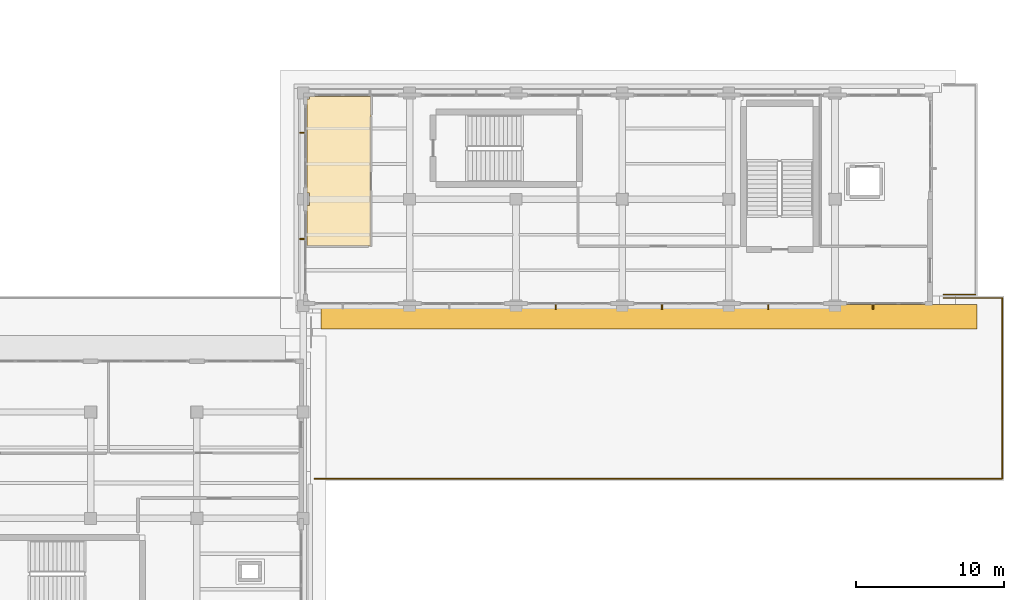
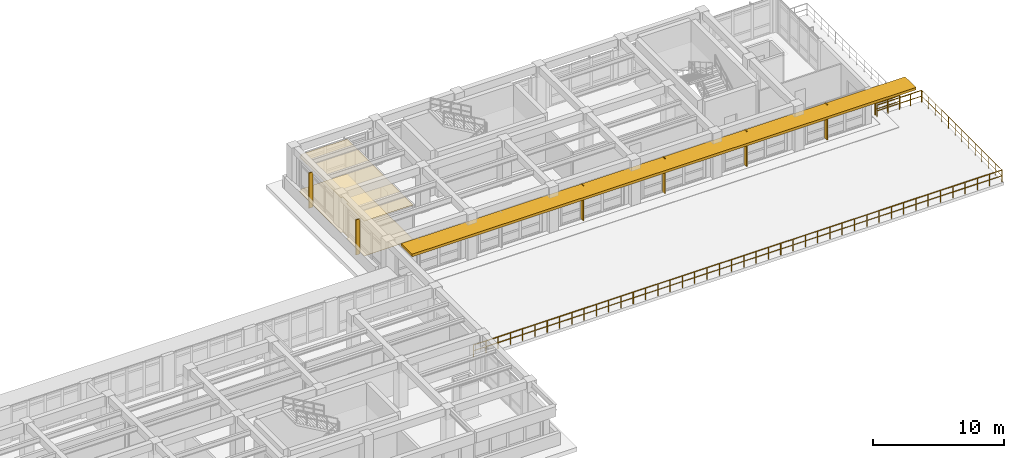
# One storey, part 60 of 67: 7 shading devices, 4 railings, 2 coverings.
"""IFC4 building model written with IfcOpenShell, lengths in metres."""

from ifc_helpers import new_model, si_unit, direction, frame, origin, origin_2d, place, context, subcontext, project, spatial, polyline, rectangle, circle, outline, extrude, material, layer, layer_set, material_profile, profile_set, type_object, element, save


model = new_model("IFC4")

# Units and contexts
model_context = context("Model", 3, precision=1e-05, world=origin(), true_north=direction((0.0, 1.0)))
body_context = subcontext(model_context, "Body", "Model", "MODEL_VIEW")
ifc_project = project(units=[si_unit("LENGTHUNIT", "METRE"), si_unit("AREAUNIT", "SQUARE_METRE"), si_unit("VOLUMEUNIT", "CUBIC_METRE"), si_unit("PLANEANGLEUNIT", "RADIAN"), si_unit("MASSUNIT", "GRAM", prefix="KILO")], contexts=[model_context])

# Site, building, storey
site_placement = place(None, origin())
site = spatial("IfcSite", under=ifc_project, at=site_placement, CompositionType="ELEMENT")
building_placement = place(site_placement, origin())
building = spatial("IfcBuilding", under=site, at=building_placement, Name="Solenvale Faculty of Natural Sciences", CompositionType="ELEMENT")
storey_placement = place(building_placement, frame((0.0, 0.0, 13.5)))
storey = spatial("IfcBuildingStorey", under=building, at=storey_placement, Name="L03", CompositionType="ELEMENT", Elevation=13.5)

# Coverings
ifc_material_1 = material(Name="Oak slatted acoustic timber ceiling", Category="wood")
ifc_layer_1 = layer(ifc_material_1, 0.034912109375)
ifc_layer_set_1 = layer_set([ifc_layer_1], Name="Oak slatted acoustic timber ceiling")
covering_type_1 = type_object("IfcCoveringType", Name="COV-CEIL-WD35", PredefinedType="CEILING", material=ifc_layer_set_1)
covering_1_placement = place(storey_placement, frame((0.0, 0.0, 3.22509765625)))
element("IfcCovering", 1, at=covering_1_placement, inside=storey, type_object=covering_type_1, Name="L03 Learning Commons Acoustic Ceiling", PredefinedType="CEILING", context=body_context, shape_type="SweptSolid", body=[
    extrude(outline(polyline([(119.780029296875, 56.049072265625), (119.760009765625, 56.0), (119.756103515625, 47.256103515625), (119.72998046875, 47.239990234375), (115.4560546875, 47.243896484375), (115.43994140625, 47.27001953125), (115.43994140625, 49.945068359375), (115.464111328125, 49.97412109375), (115.625, 49.98291015625), (115.625, 50.81396484375), (115.615966796875, 50.824951171875), (115.464111328125, 50.825927734375), (115.43994140625, 50.85498046875), (115.444091796875, 57.158935546875), (115.467041015625, 57.175048828125), (115.6220703125, 57.177978515625), (115.6259765625, 57.3359375), (115.655029296875, 57.360107421875), (119.759033203125, 57.35888671875), (119.780029296875, 57.330078125), (119.780029296875, 56.049072265625)])), origin(), (0.0, 0.0, 1.0), 0.034912109375),
])
ifc_material_2 = material(Name="Polished slate terrazzo flooring", Category="masonry")
ifc_layer_2 = layer(ifc_material_2, 0.01806640625)
ifc_layer_set_2 = layer_set([ifc_layer_2], Name="Polished slate terrazzo flooring")
covering_type_2 = type_object("IfcCoveringType", Name="COV-FLR-TRZ18", PredefinedType="FLOORING", material=ifc_layer_set_2)
covering_2_placement = place(storey_placement, origin())
element("IfcCovering", 2, at=covering_2_placement, inside=storey, type_object=covering_type_2, Name="L03 Learning Commons Floor Finish", PredefinedType="FLOORING", context=body_context, shape_type="SweptSolid", body=[
    extrude(outline(polyline([(119.780029296875, 56.049072265625), (119.760009765625, 56.0), (119.756103515625, 47.256103515625), (119.72998046875, 47.239990234375), (115.4560546875, 47.243896484375), (115.43994140625, 47.27001953125), (115.43994140625, 49.945068359375), (115.464111328125, 49.97412109375), (115.625, 49.98291015625), (115.625, 50.81396484375), (115.615966796875, 50.824951171875), (115.464111328125, 50.825927734375), (115.43994140625, 50.85498046875), (115.444091796875, 57.158935546875), (115.467041015625, 57.175048828125), (115.6220703125, 57.177978515625), (115.6259765625, 57.3359375), (115.655029296875, 57.360107421875), (119.759033203125, 57.35888671875), (119.780029296875, 57.330078125), (119.780029296875, 56.049072265625)])), origin(), (0.0, 0.0, 1.0), 0.01806640625),
])

# Railings
ifc_material_3 = material(Name="Stainless steel Grade 304", Category="steel")
railing_type = type_object("IfcRailingType", Name="RL-TERR-1100", PredefinedType="GUARDRAIL", material=ifc_material_3)
railing_1_placement = place(storey_placement, frame((158.56005859375, 43.719970703125, 0.0)))
element("IfcRailing", 3, at=railing_1_placement, inside=storey, type_object=railing_type, Name="L03 Terrace Guardrail 2.2", PredefinedType="GUARDRAIL", context=body_context, shape_type="SweptSolid", body=[
    extrude(circle(Radius=0.02392578125, at=origin_2d()), frame((0.0, 0.0, 1.09619140625), z_axis=(1.0, 0.0, 0.0), x_axis=(0.0, 1.0, 0.0)), (0.0, 0.0, 1.0), 3.9599609375),
    extrude(circle(Radius=0.01611328125, at=origin_2d()), frame((0.0, 0.0, 0.56005859375), z_axis=(1.0, 0.0, 0.0), x_axis=(0.0, 1.0, 0.0)), (0.0, 0.0, 1.0), 3.9599609375),
    extrude(circle(Radius=0.02099609375, at=origin_2d()), origin(), (0.0, 0.0, 1.0), 1.072021484375),
    extrude(circle(Radius=0.02099609375, at=origin_2d()), frame((0.989990234375, 0.0, 0.0)), (0.0, 0.0, 1.0), 1.072021484375),
    extrude(circle(Radius=0.02099609375, at=origin_2d()), frame((1.97998046875, 0.0, 0.0)), (0.0, 0.0, 1.0), 1.072021484375),
    extrude(circle(Radius=0.02099609375, at=origin_2d()), frame((2.969970703125, 0.0, 0.0)), (0.0, 0.0, 1.0), 1.072021484375),
    extrude(circle(Radius=0.02099609375, at=origin_2d()), frame((3.9599609375, 0.0, 0.0)), (0.0, 0.0, 1.0), 1.072021484375),
])
railing_2_placement = place(storey_placement, frame((162.52001953125, 43.719970703125, 0.0)))
element("IfcRailing", 4, at=railing_2_placement, inside=storey, type_object=railing_type, Name="L03 Terrace Guardrail 2.3", PredefinedType="GUARDRAIL", context=body_context, shape_type="SweptSolid", body=[
    extrude(circle(Radius=0.02392578125, at=origin_2d()), frame((0.0, 0.0, 1.09619140625), z_axis=(0.0, -1.0, 0.0), x_axis=(1.0, 0.0, 0.0)), (0.0, 0.0, 1.0), 12.239990234375),
    extrude(circle(Radius=0.01611328125, at=origin_2d()), frame((0.0, 0.0, 0.56005859375), z_axis=(0.0, -1.0, 0.0), x_axis=(1.0, 0.0, 0.0)), (0.0, 0.0, 1.0), 12.239990234375),
    extrude(circle(Radius=0.02099609375, at=origin_2d()), origin(), (0.0, 0.0, 1.0), 1.072021484375),
    extrude(circle(Radius=0.02099609375, at=origin_2d()), frame((0.0, -1.02001953125, 0.0)), (0.0, 0.0, 1.0), 1.072021484375),
    extrude(circle(Radius=0.02099609375, at=origin_2d()), frame((0.0, -2.0400390625, 0.0)), (0.0, 0.0, 1.0), 1.072021484375),
    extrude(circle(Radius=0.02099609375, at=origin_2d()), frame((0.0, -3.06005859375, 0.0)), (0.0, 0.0, 1.0), 1.072021484375),
    extrude(circle(Radius=0.02099609375, at=origin_2d()), frame((0.0, -4.080078125, 0.0)), (0.0, 0.0, 1.0), 1.072021484375),
    extrude(circle(Radius=0.02099609375, at=origin_2d()), frame((0.0, -5.10009765625, 0.0)), (0.0, 0.0, 1.0), 1.072021484375),
    extrude(circle(Radius=0.02099609375, at=origin_2d()), frame((0.0, -6.1201171875, 0.0)), (0.0, 0.0, 1.0), 1.072021484375),
    extrude(circle(Radius=0.02099609375, at=origin_2d()), frame((0.0, -7.139892578125, 0.0)), (0.0, 0.0, 1.0), 1.072021484375),
    extrude(circle(Radius=0.02099609375, at=origin_2d()), frame((0.0, -8.159912109375, 0.0)), (0.0, 0.0, 1.0), 1.072021484375),
    extrude(circle(Radius=0.02099609375, at=origin_2d()), frame((0.0, -9.179931640625, 0.0)), (0.0, 0.0, 1.0), 1.072021484375),
    extrude(circle(Radius=0.02099609375, at=origin_2d()), frame((0.0, -10.199951171875, 0.0)), (0.0, 0.0, 1.0), 1.072021484375),
    extrude(circle(Radius=0.02099609375, at=origin_2d()), frame((0.0, -11.219970703125, 0.0)), (0.0, 0.0, 1.0), 1.072021484375),
    extrude(circle(Radius=0.02099609375, at=origin_2d()), frame((0.0, -12.239990234375, 0.0)), (0.0, 0.0, 1.0), 1.072021484375),
])
railing_3_placement = place(storey_placement, frame((162.52001953125, 31.47998046875, 0.0)))
element("IfcRailing", 5, at=railing_3_placement, inside=storey, type_object=railing_type, Name="L03 Terrace Guardrail 2.4", PredefinedType="GUARDRAIL", context=body_context, shape_type="SweptSolid", body=[
    extrude(circle(Radius=0.02392578125, at=origin_2d()), frame((0.0, 0.0, 1.09619140625), z_axis=(-1.0, 0.0, 0.0), x_axis=(0.0, -1.0, 0.0)), (0.0, 0.0, 1.0), 46.56005859375),
    extrude(circle(Radius=0.01611328125, at=origin_2d()), frame((0.0, 0.0, 0.56005859375), z_axis=(-1.0, 0.0, 0.0), x_axis=(0.0, -1.0, 0.0)), (0.0, 0.0, 1.0), 46.56005859375),
    extrude(circle(Radius=0.02099609375, at=origin_2d()), origin(), (0.0, 0.0, 1.0), 1.072021484375),
    extrude(circle(Radius=0.02099609375, at=origin_2d()), frame((-1.082763671875, 0.0, 0.0)), (0.0, 0.0, 1.0), 1.072021484375),
    extrude(circle(Radius=0.02099609375, at=origin_2d()), frame((-2.16552734375, 0.0, 0.0)), (0.0, 0.0, 1.0), 1.072021484375),
    extrude(circle(Radius=0.02099609375, at=origin_2d()), frame((-3.248291015625, 0.0, 0.0)), (0.0, 0.0, 1.0), 1.072021484375),
    extrude(circle(Radius=0.02099609375, at=origin_2d()), frame((-4.3310546875, 0.0, 0.0)), (0.0, 0.0, 1.0), 1.072021484375),
    extrude(circle(Radius=0.02099609375, at=origin_2d()), frame((-5.4140625, 0.0, 0.0)), (0.0, 0.0, 1.0), 1.072021484375),
    extrude(circle(Radius=0.02099609375, at=origin_2d()), frame((-6.496826171875, 0.0, 0.0)), (0.0, 0.0, 1.0), 1.072021484375),
    extrude(circle(Radius=0.02099609375, at=origin_2d()), frame((-7.57958984375, 0.0, 0.0)), (0.0, 0.0, 1.0), 1.072021484375),
    extrude(circle(Radius=0.02099609375, at=origin_2d()), frame((-8.662353515625, 0.0, 0.0)), (0.0, 0.0, 1.0), 1.072021484375),
    extrude(circle(Radius=0.02099609375, at=origin_2d()), frame((-9.7451171875, 0.0, 0.0)), (0.0, 0.0, 1.0), 1.072021484375),
    extrude(circle(Radius=0.02099609375, at=origin_2d()), frame((-10.827880859375, 0.0, 0.0)), (0.0, 0.0, 1.0), 1.072021484375),
    extrude(circle(Radius=0.02099609375, at=origin_2d()), frame((-11.91064453125, 0.0, 0.0)), (0.0, 0.0, 1.0), 1.072021484375),
    extrude(circle(Radius=0.02099609375, at=origin_2d()), frame((-12.993408203125, 0.0, 0.0)), (0.0, 0.0, 1.0), 1.072021484375),
    extrude(circle(Radius=0.02099609375, at=origin_2d()), frame((-14.076416015625, 0.0, 0.0)), (0.0, 0.0, 1.0), 1.072021484375),
    extrude(circle(Radius=0.02099609375, at=origin_2d()), frame((-15.1591796875, 0.0, 0.0)), (0.0, 0.0, 1.0), 1.072021484375),
    extrude(circle(Radius=0.02099609375, at=origin_2d()), frame((-16.241943359375, 0.0, 0.0)), (0.0, 0.0, 1.0), 1.072021484375),
    extrude(circle(Radius=0.02099609375, at=origin_2d()), frame((-17.32470703125, 0.0, 0.0)), (0.0, 0.0, 1.0), 1.072021484375),
    extrude(circle(Radius=0.02099609375, at=origin_2d()), frame((-18.407470703125, 0.0, 0.0)), (0.0, 0.0, 1.0), 1.072021484375),
    extrude(circle(Radius=0.02099609375, at=origin_2d()), frame((-19.490234375, 0.0, 0.0)), (0.0, 0.0, 1.0), 1.072021484375),
    extrude(circle(Radius=0.02099609375, at=origin_2d()), frame((-20.572998046875, 0.0, 0.0)), (0.0, 0.0, 1.0), 1.072021484375),
    extrude(circle(Radius=0.02099609375, at=origin_2d()), frame((-21.65576171875, 0.0, 0.0)), (0.0, 0.0, 1.0), 1.072021484375),
    extrude(circle(Radius=0.02099609375, at=origin_2d()), frame((-22.738525390625, 0.0, 0.0)), (0.0, 0.0, 1.0), 1.072021484375),
    extrude(circle(Radius=0.02099609375, at=origin_2d()), frame((-23.821533203125, 0.0, 0.0)), (0.0, 0.0, 1.0), 1.072021484375),
    extrude(circle(Radius=0.02099609375, at=origin_2d()), frame((-24.904296875, 0.0, 0.0)), (0.0, 0.0, 1.0), 1.072021484375),
    extrude(circle(Radius=0.02099609375, at=origin_2d()), frame((-25.987060546875, 0.0, 0.0)), (0.0, 0.0, 1.0), 1.072021484375),
    extrude(circle(Radius=0.02099609375, at=origin_2d()), frame((-27.06982421875, 0.0, 0.0)), (0.0, 0.0, 1.0), 1.072021484375),
    extrude(circle(Radius=0.02099609375, at=origin_2d()), frame((-28.152587890625, 0.0, 0.0)), (0.0, 0.0, 1.0), 1.072021484375),
    extrude(circle(Radius=0.02099609375, at=origin_2d()), frame((-29.2353515625, 0.0, 0.0)), (0.0, 0.0, 1.0), 1.072021484375),
    extrude(circle(Radius=0.02099609375, at=origin_2d()), frame((-30.318115234375, 0.0, 0.0)), (0.0, 0.0, 1.0), 1.072021484375),
    extrude(circle(Radius=0.02099609375, at=origin_2d()), frame((-31.40087890625, 0.0, 0.0)), (0.0, 0.0, 1.0), 1.072021484375),
    extrude(circle(Radius=0.02099609375, at=origin_2d()), frame((-32.483642578125, 0.0, 0.0)), (0.0, 0.0, 1.0), 1.072021484375),
    extrude(circle(Radius=0.02099609375, at=origin_2d()), frame((-33.566650390625, 0.0, 0.0)), (0.0, 0.0, 1.0), 1.072021484375),
    extrude(circle(Radius=0.02099609375, at=origin_2d()), frame((-34.6494140625, 0.0, 0.0)), (0.0, 0.0, 1.0), 1.072021484375),
    extrude(circle(Radius=0.02099609375, at=origin_2d()), frame((-35.732177734375, 0.0, 0.0)), (0.0, 0.0, 1.0), 1.072021484375),
    extrude(circle(Radius=0.02099609375, at=origin_2d()), frame((-36.81494140625, 0.0, 0.0)), (0.0, 0.0, 1.0), 1.072021484375),
    extrude(circle(Radius=0.02099609375, at=origin_2d()), frame((-37.897705078125, 0.0, 0.0)), (0.0, 0.0, 1.0), 1.072021484375),
    extrude(circle(Radius=0.02099609375, at=origin_2d()), frame((-38.98046875, 0.0, 0.0)), (0.0, 0.0, 1.0), 1.072021484375),
    extrude(circle(Radius=0.02099609375, at=origin_2d()), frame((-40.063232421875, 0.0, 0.0)), (0.0, 0.0, 1.0), 1.072021484375),
    extrude(circle(Radius=0.02099609375, at=origin_2d()), frame((-41.14599609375, 0.0, 0.0)), (0.0, 0.0, 1.0), 1.072021484375),
    extrude(circle(Radius=0.02099609375, at=origin_2d()), frame((-42.22900390625, 0.0, 0.0)), (0.0, 0.0, 1.0), 1.072021484375),
    extrude(circle(Radius=0.02099609375, at=origin_2d()), frame((-43.311767578125, 0.0, 0.0)), (0.0, 0.0, 1.0), 1.072021484375),
    extrude(circle(Radius=0.02099609375, at=origin_2d()), frame((-44.39453125, 0.0, 0.0)), (0.0, 0.0, 1.0), 1.072021484375),
    extrude(circle(Radius=0.02099609375, at=origin_2d()), frame((-45.477294921875, 0.0, 0.0)), (0.0, 0.0, 1.0), 1.072021484375),
    extrude(circle(Radius=0.02099609375, at=origin_2d()), frame((-46.56005859375, 0.0, 0.0)), (0.0, 0.0, 1.0), 1.072021484375),
])
railing_4_placement = place(storey_placement, frame((160.719970703125, 43.9599609375, 0.0)))
element("IfcRailing", 6, at=railing_4_placement, inside=storey, type_object=railing_type, Name="L03 Terrace Guardrail 3.1", PredefinedType="GUARDRAIL", context=body_context, shape_type="SweptSolid", body=[
    extrude(circle(Radius=0.02392578125, at=origin_2d()), frame((0.0, 0.0, 1.09619140625), z_axis=(-1.0, 0.0, 0.0), x_axis=(0.0, -1.0, 0.0)), (0.0, 0.0, 1.0), 2.159912109375),
    extrude(circle(Radius=0.01611328125, at=origin_2d()), frame((0.0, 0.0, 0.56005859375), z_axis=(-1.0, 0.0, 0.0), x_axis=(0.0, -1.0, 0.0)), (0.0, 0.0, 1.0), 2.159912109375),
    extrude(circle(Radius=0.02099609375, at=origin_2d()), origin(), (0.0, 0.0, 1.0), 1.072021484375),
    extrude(circle(Radius=0.02099609375, at=origin_2d()), frame((-1.080078125, 0.0, 0.0)), (0.0, 0.0, 1.0), 1.072021484375),
    extrude(circle(Radius=0.02099609375, at=origin_2d()), frame((-2.159912109375, 0.0, 0.0)), (0.0, 0.0, 1.0), 1.072021484375),
])

# Shading devices
ifc_material_4 = material(Name="Anodised bronze aluminium", Category="aluminium")
ifc_material_profile = material_profile(ifc_material_4, rectangle(XDim=0.080078125, YDim=0.360107421875, at=origin_2d()), Name="ALU-FIN-80x360")
ifc_profile_set = profile_set([ifc_material_profile], Name="Anodised bronze aluminium")
shading_device_type_1 = type_object("IfcShadingDeviceType", Name="SHD-FIN-360", PredefinedType="JALOUSIE", material=ifc_profile_set)
for number, where, z_axis, x_axis, name in (
    (7, (132.283447265625, 43.139892578125, -0.02001953125), (0.0, 0.0, 1.0), (1.0, 0.0, 0.0), "L03 Vertical Brise-Soleil Fin 1.3"),
    (8, (139.4833984375, 43.139892578125, -0.02001953125), (0.0, 0.0, 1.0), (1.0, 0.0, 0.0), "L03 Vertical Brise-Soleil Fin 1.4"),
    (9, (146.683349609375, 43.139892578125, -0.02001953125), (0.0, 0.0, 1.0), (1.0, 0.0, 0.0), "L03 Vertical Brise-Soleil Fin 1.5"),
    (10, (153.7734375, 43.139892578125, -0.02001953125), (0.0, 0.0, 1.0), (1.0, 0.0, 0.0), "L03 Vertical Brise-Soleil Fin 1.6"),
    (11, (115.139892578125, 54.916748046875, -0.02001953125), (0.0, 0.0, 1.0), (0.0, 1.0, 0.0), "L03 Vertical Brise-Soleil Fin 4.1"),
    (12, (115.139892578125, 47.716552734375, -0.02001953125), (0.0, 0.0, 1.0), (0.0, 1.0, 0.0), "L03 Vertical Brise-Soleil Fin 4.2"),
):
    element("IfcShadingDevice", number, at=place(storey_placement, frame(where, z_axis=z_axis, x_axis=x_axis)), inside=storey, type_object=shading_device_type_1, Name=name, PredefinedType="JALOUSIE", context=body_context, shape_type="SweptSolid", body=[
        extrude(rectangle(XDim=0.080078125, YDim=0.360107421875, at=origin_2d()), origin(), (0.0, 0.0, 1.0), 3.280029296875),
    ])
shading_device_type_2 = type_object("IfcShadingDeviceType", Name="SHD-LVR-1800x1200", PredefinedType="JALOUSIE", material=ifc_material_4)
shading_device_placement = place(storey_placement, frame((138.60009765625, 42.449951171875, 3.0), z_axis=(0.0, 0.0, 1.0), x_axis=(1.0, 0.0, 0.0)))
element("IfcShadingDevice", 13, at=shading_device_placement, inside=storey, type_object=shading_device_type_2, Name="L03 Shaded Terrace Overhang Canopy 2", PredefinedType="JALOUSIE", context=body_context, shape_type="SweptSolid", body=[
    extrude(rectangle(XDim=44.39990234375, YDim=1.64990234375, at=origin_2d()), origin(), (0.0, 0.0, 1.0), 0.239990234375),
])

save(model, "model.ifc")
